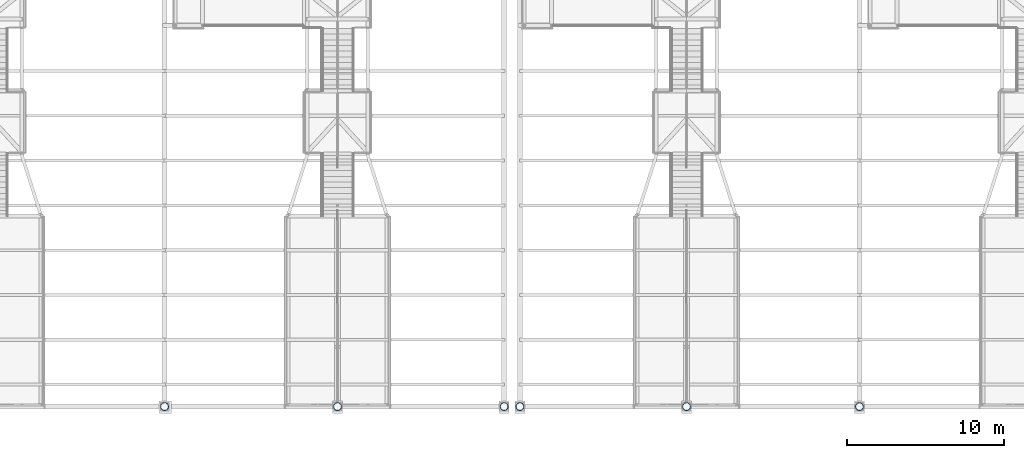
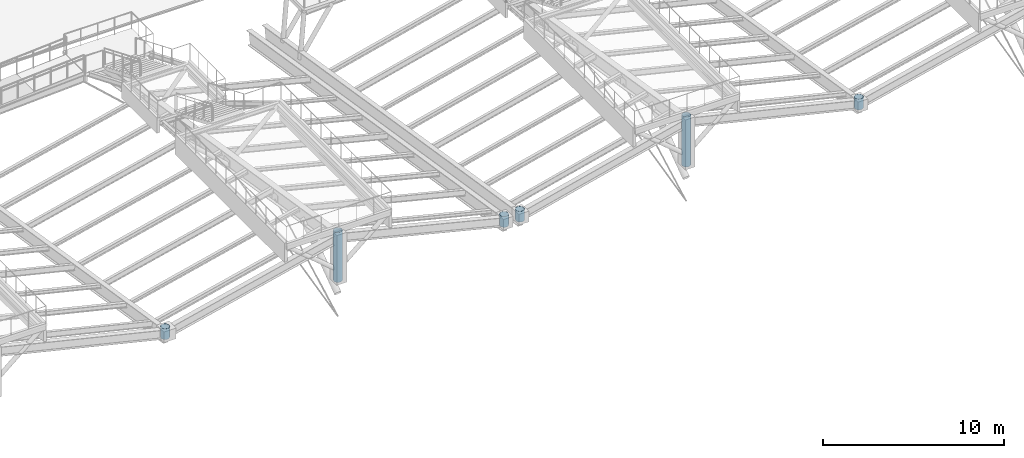
# One storey, part 5 of 43: 6 columns.
"""IFC4 building model written with IfcOpenShell, lengths in metres."""

import ifcopenshell
import ifcopenshell.guid

model = None  # the IFC model being written
_history = None  # IfcOwnerHistory: only IFC2X3 demands one
_inside = {}  # id of a spatial element -> (the spatial element, [elements in it])
_under = {}  # id of a project, library or spatial element -> (it, [spatial elements below it])
_declared = {}  # id of a project -> (the project, [libraries it declares])
_typed = {}  # id of a type object -> (the type object, [elements of that type])
_made_of = {}  # id of a material, layer set ... -> (it, [elements and type objects made of it])


def new_model(schema):
    """Start an empty IFC model of exactly this schema.

    Asked for "IFC4X3", IfcOpenShell would pick the latest addendum, in which some entities
    have other attributes; the version numbers below select the first issue.
    IFC2X3 requires an IfcOwnerHistory on every rooted entity: one is made here for all.
    """
    global model, _history
    if schema == "IFC4X3":
        model = ifcopenshell.file(schema_version=(4, 3, 0, 0))
    else:
        model = ifcopenshell.file(schema=schema)
    _inside.clear()
    _under.clear()
    _declared.clear()
    _typed.clear()
    _made_of.clear()
    _history = None
    if model.schema == "IFC2X3":
        org = make("IfcOrganization", Name="unknown")
        user = make(
            "IfcPersonAndOrganization",
            ThePerson=make("IfcPerson", FamilyName="unknown"),
            TheOrganization=org,
        )
        app = make(
            "IfcApplication",
            ApplicationDeveloper=org,
            Version="unknown",
            ApplicationFullName="unknown",
            ApplicationIdentifier="unknown",
        )
        _history = make(
            "IfcOwnerHistory",
            OwningUser=user,
            OwningApplication=app,
            ChangeAction="ADDED",
            CreationDate=0,
        )
    return model


def make(cls, **values):
    """One entity of the class cls with the attributes given. An attribute that is None is left unset."""
    return model.create_entity(
        cls, **{name: value for name, value in values.items() if value is not None}
    )


def rooted(cls, **values):
    """An entity with a GlobalId (a new one), such as an element, a storey or a relation."""
    return make(cls, GlobalId=ifcopenshell.guid.new(), OwnerHistory=_history, **values)


def si_unit(unit_type, name, prefix=None):
    """IfcSIUnit, for example si_unit("LENGTHUNIT", "METRE", prefix="MILLI")."""
    return make("IfcSIUnit", UnitType=unit_type, Prefix=prefix, Name=name)


def assignment(units):
    """IfcUnitAssignment: the units of a project."""
    return None if units is None else make("IfcUnitAssignment", Units=units)


def point(xyz):
    """IfcCartesianPoint."""
    return None if xyz is None else make("IfcCartesianPoint", Coordinates=xyz)


def direction(xyz):
    """IfcDirection."""
    return None if xyz is None else make("IfcDirection", DirectionRatios=xyz)


def frame(location, z_axis=None, x_axis=None):
    """IfcAxis2Placement3D, a coordinate frame: its origin and axes. An axis left out is left unset."""
    return make(
        "IfcAxis2Placement3D",
        Location=point(location),
        Axis=direction(z_axis),
        RefDirection=direction(x_axis),
    )


def frame_2d(location, x_axis=None):
    """IfcAxis2Placement2D, a coordinate frame in the plane: its origin and x axis."""
    return make(
        "IfcAxis2Placement2D", Location=point(location), RefDirection=direction(x_axis)
    )


def origin():
    """The frame at (0, 0, 0) with its axes left unset."""
    return frame((0.0, 0.0, 0.0))


def origin_2d():
    """The frame at (0, 0) in the plane with its x axis left unset."""
    return frame_2d((0.0, 0.0))


def place(relative_to, where):
    """IfcLocalPlacement: puts the frame where relative to a parent placement (None: the world)."""
    return make(
        "IfcLocalPlacement", PlacementRelTo=relative_to, RelativePlacement=where
    )


def context(
    kind, dimensions, precision=None, world=None, true_north=None, identifier=None
):
    """IfcGeometricRepresentationContext, for example the 3D "Model" context."""
    return make(
        "IfcGeometricRepresentationContext",
        ContextIdentifier=identifier,
        ContextType=kind,
        CoordinateSpaceDimension=dimensions,
        Precision=precision,
        WorldCoordinateSystem=world,
        TrueNorth=true_north,
    )


def subcontext(parent, identifier, kind, view, scale=None):
    """IfcGeometricRepresentationSubContext, for example "Body" below "Model"."""
    return make(
        "IfcGeometricRepresentationSubContext",
        ContextIdentifier=identifier,
        ContextType=kind,
        ParentContext=parent,
        TargetScale=scale,
        TargetView=view,
    )


def project(units=None, contexts=None):
    """IfcProject with its units and contexts."""
    return rooted(
        "IfcProject",
        Name="project",
        RepresentationContexts=contexts,
        UnitsInContext=assignment(units),
    )


def spatial(cls, under=None, at=None, **own):
    """A site, building, storey or space (cls), placed at a placement, below another one or the project."""
    s = rooted(cls, ObjectPlacement=at, **own)
    if under is not None:
        _under.setdefault(under.id(), (under, []))[1].append(s)
    return s


def profile(cls, at=None, kind="AREA", **sizes):
    """A parametric profile (cls). Its sizes go by their IFC names, for example OverallWidth=200.0."""
    return make(cls, ProfileType=kind, Position=at, **sizes)


def hollow_circle(**sizes):
    """IfcCircleHollowProfileDef."""
    return profile("IfcCircleHollowProfileDef", **sizes)


def extrude(swept, where, along, depth):
    """IfcExtrudedAreaSolid: the profile swept, set in the frame where, extruded along a direction by depth."""
    return make(
        "IfcExtrudedAreaSolid",
        SweptArea=swept,
        Position=where,
        ExtrudedDirection=direction(along),
        Depth=depth,
    )


def shape(context_of_items, identifier, shape_type, items):
    """IfcShapeRepresentation: the items that make up one representation, for example the "Body"."""
    return make(
        "IfcShapeRepresentation",
        ContextOfItems=context_of_items,
        RepresentationIdentifier=identifier,
        RepresentationType=shape_type,
        Items=items,
    )


def material(Name=None, Category=None):
    """IfcMaterial."""
    return make("IfcMaterial", Name=Name, Category=Category)


def material_profile(
    of_material, cross_section, Name=None, Category=None, Priority=None
):
    """IfcMaterialProfile: a cross section and its material."""
    return make(
        "IfcMaterialProfile",
        Name=Name,
        Material=of_material,
        Profile=cross_section,
        Priority=Priority,
        Category=Category,
    )


def profile_set(profiles, Name=None, composite=None):
    """IfcMaterialProfileSet."""
    return make(
        "IfcMaterialProfileSet",
        Name=Name,
        MaterialProfiles=profiles,
        CompositeProfile=composite,
    )


def made_of(thing, what):
    """Note that an element or type object is made of a material, layer set ...; save() writes the relation."""
    if what is not None:
        _made_of.setdefault(what.id(), (what, []))[1].append(thing)
    return thing


def type_object(cls, material=None, **own):
    """A type object (cls), such as IfcWallType, which elements share."""
    return made_of(rooted(cls, **own), material)


def element(
    cls,
    number,
    at=None,
    inside=None,
    cuts=None,
    type_object=None,
    material=None,
    context=None,
    identifier="Body",
    shape_type=None,
    held_by="IfcProductDefinitionShape",
    body=None,
    shapes=None,
    **own,
):
    """One element of the class cls, such as IfcWall. Its Tag is "e" and its number.

    at: its placement. inside: the storey or other place that contains it. cuts: it is an
    opening in that element (IfcRelVoidsElement). A single representation is given by context,
    identifier, shape_type and body (its items); several are given by shapes. held_by: the class
    of the entity that holds the representations. save() writes the other relations.
    """
    e = rooted(cls, Tag="e%d" % number, ObjectPlacement=at, **own)
    if body is not None:
        shapes = [shape(context, identifier, shape_type, body)]
    if shapes is not None:
        e.Representation = make(held_by, Representations=shapes)
    if inside is not None:
        _inside.setdefault(inside.id(), (inside, []))[1].append(e)
    if cuts is not None:
        rooted(
            "IfcRelVoidsElement", RelatingBuildingElement=cuts, RelatedOpeningElement=e
        )
    if type_object is not None:
        _typed.setdefault(type_object.id(), (type_object, []))[1].append(e)
    return made_of(e, material)


def aggregate(whole, parts):
    """IfcRelAggregates: a whole, such as a stair, and the parts it consists of."""
    return rooted("IfcRelAggregates", RelatingObject=whole, RelatedObjects=parts)


def save(model, path):
    """Write the relations noted so far, then the file.

    IfcRelAggregates (storeys below a building ...), IfcRelContainedInSpatialStructure (elements
    in a storey), IfcRelDefinesByType, IfcRelAssociatesMaterial and IfcRelDeclares: one each for
    every whole, place, type object, material and project.
    """
    for whole, parts in _under.values():
        aggregate(whole, parts)
    for where, things in _inside.values():
        rooted(
            "IfcRelContainedInSpatialStructure",
            RelatedElements=things,
            RelatingStructure=where,
        )
    for kind, things in _typed.values():
        rooted("IfcRelDefinesByType", RelatedObjects=things, RelatingType=kind)
    for what, things in _made_of.values():
        rooted("IfcRelAssociatesMaterial", RelatedObjects=things, RelatingMaterial=what)
    for by, libraries in _declared.values():
        rooted("IfcRelDeclares", RelatingContext=by, RelatedDefinitions=libraries)
    model.write(path)


model = new_model("IFC4")

# Units and contexts
model_context = context("Model", 3, precision=1e-05, world=origin(), true_north=direction((0.0, 1.0)))
body_context = subcontext(model_context, "Body", "Model", "MODEL_VIEW")
ifc_project = project(units=[si_unit("LENGTHUNIT", "METRE"), si_unit("AREAUNIT", "SQUARE_METRE"), si_unit("VOLUMEUNIT", "CUBIC_METRE"), si_unit("PLANEANGLEUNIT", "RADIAN"), si_unit("MASSUNIT", "GRAM", prefix="KILO")], contexts=[model_context])

# Site, building, storey
site_placement = place(None, origin())
site = spatial("IfcSite", under=ifc_project, at=site_placement, CompositionType="ELEMENT")
building_placement = place(site_placement, origin())
building = spatial("IfcBuilding", under=site, at=building_placement, Name="Caurita Quay Ferry Terminal", CompositionType="ELEMENT")
storey_placement = place(building_placement, frame((0.0, 0.0, 14.10009765625)))
storey = spatial("IfcBuildingStorey", under=building, at=storey_placement, Name="L03", CompositionType="ELEMENT", Elevation=14.10009765625)

# Columns
ifc_material = material(Name="Hollow structural steel ASTM A500 Gr. C", Category="steel")
ifc_material_profile = material_profile(ifc_material, hollow_circle(Radius=0.25390625, WallThickness=0.01171875, at=origin_2d()), Name="HSS20.000X0.500")
ifc_profile_set = profile_set([ifc_material_profile], Name="Hollow structural steel ASTM A500 Gr. C")
column_type = type_object("IfcColumnType", Name="COL-MST-01", PredefinedType="COLUMN", material=ifc_profile_set)
column_1_placement = place(storey_placement, frame((66.0, 34.60009765625, 0.0), z_axis=(0.0, 0.0, 1.0), x_axis=(1.0, 0.0, 0.0)))
element("IfcColumn", 1, at=column_1_placement, inside=storey, type_object=column_type, Name="L03 Column V1-MST-07-S", PredefinedType="COLUMN", context=body_context, shape_type="SweptSolid", body=[
    extrude(hollow_circle(Radius=0.25390625, WallThickness=0.01171875, at=origin_2d()), origin(), (0.0, 0.0, 1.0), 0.719970703125),
])
column_2_placement = place(storey_placement, frame((77.0, 34.60009765625, 0.0), z_axis=(0.0, 0.0, 1.0), x_axis=(1.0, 0.0, 0.0)))
element("IfcColumn", 2, at=column_2_placement, inside=storey, type_object=column_type, Name="L03 Column V1-MST-08-S", PredefinedType="COLUMN", context=body_context, shape_type="SweptSolid", body=[
    extrude(hollow_circle(Radius=0.25390625, WallThickness=0.01171875, at=origin_2d()), origin(), (0.0, 0.0, 1.0), 3.35986328125),
])
for number, where, z_axis, x_axis, name in (
    (3, (87.60009765625, 34.60009765625, 0.0), (0.0, 0.0, 1.0), (1.0, 0.0, 0.0), "L03 Column V1-MST-09-S"),
    (4, (88.60009765625, 34.60009765625, 0.0), (0.0, 0.0, 1.0), (1.0, 0.0, 0.0), "L03 Column V2-MST-10-S"),
):
    element("IfcColumn", number, at=place(storey_placement, frame(where, z_axis=z_axis, x_axis=x_axis)), inside=storey, type_object=column_type, Name=name, PredefinedType="COLUMN", context=body_context, shape_type="SweptSolid", body=[
        extrude(hollow_circle(Radius=0.25390625, WallThickness=0.01171875, at=origin_2d()), origin(), (0.0, 0.0, 1.0), 0.719970703125),
    ])
column_3_placement = place(storey_placement, frame((99.199951171875, 34.60009765625, 0.0), z_axis=(0.0, 0.0, 1.0), x_axis=(1.0, 0.0, 0.0)))
element("IfcColumn", 5, at=column_3_placement, inside=storey, type_object=column_type, Name="L03 Column V2-MST-11-S", PredefinedType="COLUMN", context=body_context, shape_type="SweptSolid", body=[
    extrude(hollow_circle(Radius=0.25390625, WallThickness=0.01171875, at=origin_2d()), origin(), (0.0, 0.0, 1.0), 3.35986328125),
])
column_4_placement = place(storey_placement, frame((110.199951171875, 34.60009765625, 0.0), z_axis=(0.0, 0.0, 1.0), x_axis=(1.0, 0.0, 0.0)))
element("IfcColumn", 6, at=column_4_placement, inside=storey, type_object=column_type, Name="L03 Column V2-MST-12-S", PredefinedType="COLUMN", context=body_context, shape_type="SweptSolid", body=[
    extrude(hollow_circle(Radius=0.25390625, WallThickness=0.01171875, at=origin_2d()), origin(), (0.0, 0.0, 1.0), 0.719970703125),
])

save(model, "model.ifc")
